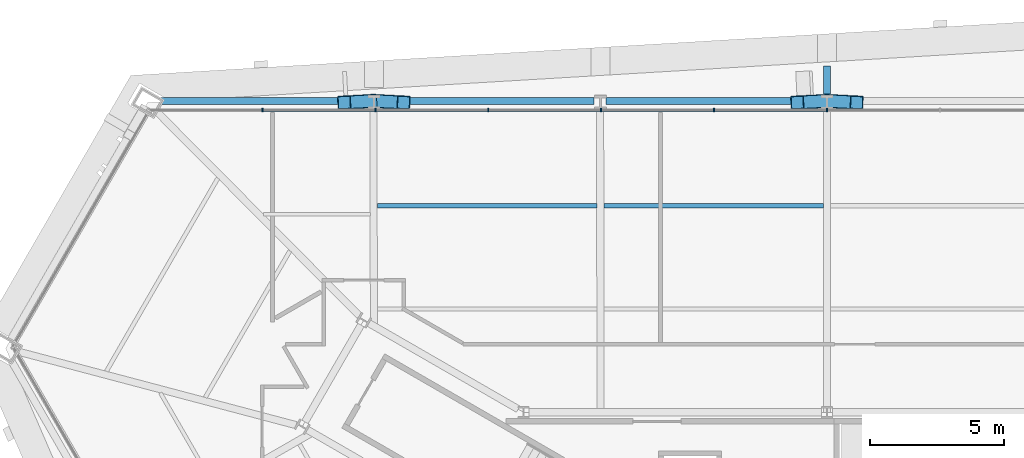
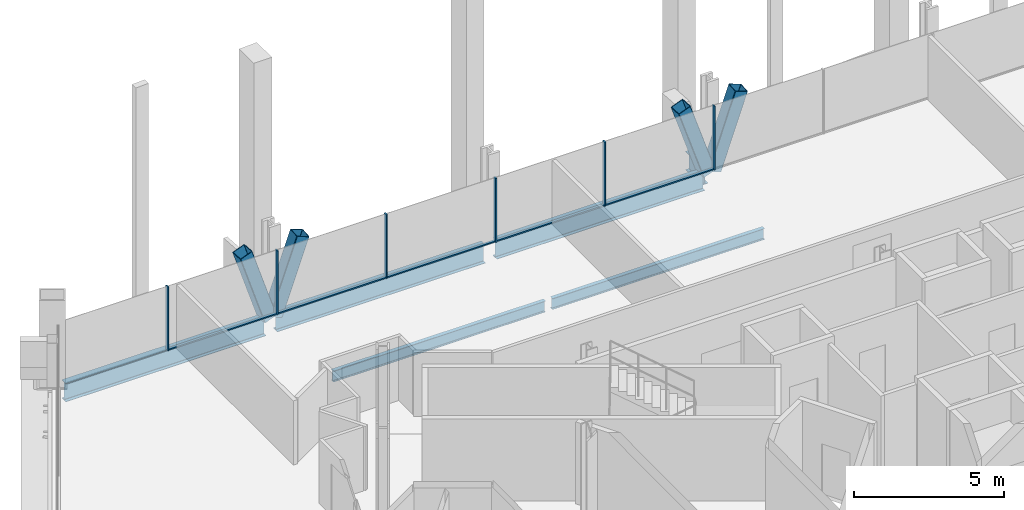
# One storey, part 6 of 16: 15 members, 6 beams, 1 element without a shape of its own.
"""IFC4 building model written with IfcOpenShell, lengths in metres."""

from ifc_helpers import new_model, si_unit, direction, frame, origin, origin_2d, place, context, subcontext, project, spatial, rectangle, hollow_rectangle, i_section, extrude, material, material_profile, profile_set, type_object, element, aggregate, save


model = new_model("IFC4")

# Units and contexts
model_context = context("Model", 3, precision=1e-05, world=origin(), true_north=direction((0.0, 1.0)))
body_context = subcontext(model_context, "Body", "Model", "MODEL_VIEW")
ifc_project = project(units=[si_unit("LENGTHUNIT", "METRE"), si_unit("AREAUNIT", "SQUARE_METRE"), si_unit("VOLUMEUNIT", "CUBIC_METRE"), si_unit("PLANEANGLEUNIT", "RADIAN"), si_unit("MASSUNIT", "GRAM", prefix="KILO")], contexts=[model_context])

# Site, building, storey
site_placement = place(None, origin())
site = spatial("IfcSite", under=ifc_project, at=site_placement, CompositionType="ELEMENT")
building_placement = place(site_placement, origin())
building = spatial("IfcBuilding", under=site, at=building_placement, Name="Verrane Prism Tower", CompositionType="ELEMENT")
storey_placement = place(building_placement, frame((0.0, 0.0, 36.800048828125)))
storey = spatial("IfcBuildingStorey", under=building, at=storey_placement, Name="L06", CompositionType="ELEMENT", Elevation=36.800048828125)

# Members
ifc_material_1 = material(Name="Steel A1085 Grade A", Category="steel")
ifc_material_profile_1 = material_profile(ifc_material_1, hollow_rectangle(XDim=0.508056640625, YDim=0.508056640625, WallThickness=0.025390625, InnerFilletRadius=0.0126953125, OuterFilletRadius=0.0380859375, at=origin_2d()), Name="HSS20x20x1")
ifc_profile_set_1 = profile_set([ifc_material_profile_1], Name="Steel A1085 Grade A")
member_type_1 = type_object("IfcMemberType", Name="Facade brace HSS20x20x1", PredefinedType="BRACE", material=ifc_profile_set_1)
for number, where, z_axis, x_axis, name in (
    (1, (0.114501953125, 20.82080078125, -0.19775390625), (0.31815332309, -0.016243468631, 0.947900106938), (0.050989061377, 0.998699211785, 0.0), "Facade brace N2 L06"),
    (2, (-0.114501953125, 20.82080078125, -0.19775390625), (-0.31815332309, -0.016243468631, 0.947900106938), (0.050989061377, -0.998699211785, 0.0), "Facade brace N3 L06"),
):
    element("IfcMember", number, at=place(storey_placement, frame(where, z_axis=z_axis, x_axis=x_axis)), inside=storey, type_object=member_type_1, Name=name, PredefinedType="BRACE", context=body_context, shape_type="SweptSolid", body=[
        extrude(hollow_rectangle(XDim=0.508056640625, YDim=0.508056640625, WallThickness=0.025390625, InnerFilletRadius=0.0126953125, OuterFilletRadius=0.0380859375, at=origin_2d()), origin(), (0.0, 0.0, 1.0), 3.126220703125),
    ])
member_1_placement = place(storey_placement, frame((-16.827392578125, 20.82080078125, -0.19775390625), z_axis=(0.323891161877, -0.016210144772, 0.945955467485), x_axis=(0.049985560067, 0.998749940568, 0.0)))
element("IfcMember", 3, at=member_1_placement, inside=storey, type_object=member_type_1, Name="Facade brace N4 L06", PredefinedType="BRACE", context=body_context, shape_type="SweptSolid", body=[
    extrude(hollow_rectangle(XDim=0.508056640625, YDim=0.508056640625, WallThickness=0.025390625, InnerFilletRadius=0.0126953125, OuterFilletRadius=0.0380859375, at=origin_2d()), origin(), (0.0, 0.0, 1.0), 3.132568359375),
])
member_2_placement = place(storey_placement, frame((-17.05615234375, 20.82080078125, -0.19775390625), z_axis=(-0.312097803729, -0.016277919553, 0.949910516966), x_axis=(0.052085673264, -0.99864262008, 0.0)))
element("IfcMember", 4, at=member_2_placement, inside=storey, type_object=member_type_1, Name="Facade brace N5 L06", PredefinedType="BRACE", context=body_context, shape_type="SweptSolid", body=[
    extrude(hollow_rectangle(XDim=0.508056640625, YDim=0.508056640625, WallThickness=0.025390625, InnerFilletRadius=0.0126953125, OuterFilletRadius=0.0380859375, at=origin_2d()), origin(), (0.0, 0.0, 1.0), 3.11962890625),
])

# Beams
ifc_material_2 = material(Name="Steel A992", Category="steel")
ifc_material_profile_2 = material_profile(ifc_material_2, i_section(OverallWidth=0.15234375, OverallDepth=0.449462890625, WebThickness=0.007568359375, FlangeThickness=0.0107421875, FilletRadius=0.01025390625, at=origin_2d()), Name="W18x35")
ifc_profile_set_2 = profile_set([ifc_material_profile_2], Name="Steel A992")
beam_type_1 = type_object("IfcBeamType", Name="Floor beam W18x35", PredefinedType="BEAM", material=ifc_profile_set_2)
beam_1_placement = place(storey_placement, frame((-8.326416015625, 16.913330078125, -0.384765625), z_axis=(1.0, 0.0, 0.0), x_axis=(0.0, 1.0, 0.0)))
element("IfcBeam", 5, at=beam_1_placement, inside=storey, type_object=beam_type_1, Name="Floor beam L06", PredefinedType="BEAM", context=body_context, shape_type="SweptSolid", body=[
    extrude(i_section(OverallWidth=0.15234375, OverallDepth=0.449462890625, WebThickness=0.007568359375, FlangeThickness=0.0107421875, FilletRadius=0.01025390625, at=origin_2d()), origin(), (0.0, 0.0, 1.0), 8.19287109375),
])
beam_2_placement = place(storey_placement, frame((-16.78662109375, 16.913330078125, -0.384765625), z_axis=(1.0, 0.0, 0.0), x_axis=(0.0, 1.0, 0.0)))
element("IfcBeam", 6, at=beam_2_placement, inside=storey, type_object=beam_type_1, Name="Floor beam L06", PredefinedType="BEAM", context=body_context, shape_type="SweptSolid", body=[
    extrude(i_section(OverallWidth=0.15234375, OverallDepth=0.449462890625, WebThickness=0.007568359375, FlangeThickness=0.0107421875, FilletRadius=0.01025390625, at=origin_2d()), origin(), (0.0, 0.0, 1.0), 8.193115234375),
])

# Curtain wall, members
ifc_material_3 = material(Name="Aluminium framed insulated glazing", Category="aluminium")
curtain_wall_type = type_object("IfcCurtainWallType", Name="Curtain wall CW-C 4200 module", PredefinedType="NOTDEFINED", material=ifc_material_3)
curtain_wall_placement = place(storey_placement, origin())
curtain_wall = element("IfcCurtainWall", 7, at=curtain_wall_placement, inside=storey, type_object=curtain_wall_type, Name="Glazed curtain wall north face L06", PredefinedType="NOTDEFINED")
ifc_material_4 = material(Name="Aluminium alloy 6063-T6", Category="aluminium")
ifc_material_profile_3 = material_profile(ifc_material_4, rectangle(XDim=0.139892578125, YDim=0.050048828125, at=origin_2d()), Name="Mullion 50x140 aluminium")
ifc_profile_set_3 = profile_set([ifc_material_profile_3], Name="Aluminium alloy 6063-T6")
member_type_2 = type_object("IfcMemberType", Name="Mullion 50x140 aluminium", PredefinedType="MULLION", material=ifc_profile_set_3)
member_3_placement = place(storey_placement, frame((0.0, 20.490966796875, 0.0), z_axis=(0.0, 0.0, 1.0), x_axis=(0.0, -1.0, 0.0)))
member_3 = element("IfcMember", 8, at=member_3_placement, type_object=member_type_2, Name="CW06.2 mullion 7", PredefinedType="MULLION", context=body_context, shape_type="SweptSolid", body=[
    extrude(rectangle(XDim=0.139892578125, YDim=0.050048828125, at=origin_2d()), origin(), (0.0, 0.0, 1.0), 2.61279296875),
])
member_4_placement = place(storey_placement, frame((-4.217041015625, 20.490966796875, 0.0), z_axis=(0.0, 0.0, 1.0), x_axis=(0.0, -1.0, 0.0)))
member_4 = element("IfcMember", 9, at=member_4_placement, type_object=member_type_2, Name="CW06.2 mullion 8", PredefinedType="MULLION", context=body_context, shape_type="SweptSolid", body=[
    extrude(rectangle(XDim=0.139892578125, YDim=0.050048828125, at=origin_2d()), origin(), (0.0, 0.0, 1.0), 2.61279296875),
])
member_5_placement = place(storey_placement, frame((-8.433837890625, 20.490966796875, 0.0), z_axis=(0.0, 0.0, 1.0), x_axis=(0.0, -1.0, 0.0)))
member_5 = element("IfcMember", 10, at=member_5_placement, type_object=member_type_2, Name="CW06.2 mullion 9", PredefinedType="MULLION", context=body_context, shape_type="SweptSolid", body=[
    extrude(rectangle(XDim=0.139892578125, YDim=0.050048828125, at=origin_2d()), origin(), (0.0, 0.0, 1.0), 2.61279296875),
])
member_6_placement = place(storey_placement, frame((-12.65087890625, 20.490966796875, 0.0), z_axis=(0.0, 0.0, 1.0), x_axis=(0.0, -1.0, 0.0)))
member_6 = element("IfcMember", 11, at=member_6_placement, type_object=member_type_2, Name="CW06.2 mullion 10", PredefinedType="MULLION", context=body_context, shape_type="SweptSolid", body=[
    extrude(rectangle(XDim=0.139892578125, YDim=0.050048828125, at=origin_2d()), origin(), (0.0, 0.0, 1.0), 2.61279296875),
])
member_7_placement = place(storey_placement, frame((-16.86767578125, 20.490966796875, 0.0), z_axis=(0.0, 0.0, 1.0), x_axis=(0.0, -1.0, 0.0)))
member_7 = element("IfcMember", 12, at=member_7_placement, type_object=member_type_2, Name="CW06.2 mullion 11", PredefinedType="MULLION", context=body_context, shape_type="SweptSolid", body=[
    extrude(rectangle(XDim=0.139892578125, YDim=0.050048828125, at=origin_2d()), origin(), (0.0, 0.0, 1.0), 2.61279296875),
])
member_8_placement = place(storey_placement, frame((-21.084716796875, 20.490966796875, 0.0), z_axis=(0.0, 0.0, 1.0), x_axis=(0.0, -1.0, 0.0)))
member_8 = element("IfcMember", 13, at=member_8_placement, type_object=member_type_2, Name="CW06.2 mullion 12", PredefinedType="MULLION", context=body_context, shape_type="SweptSolid", body=[
    extrude(rectangle(XDim=0.139892578125, YDim=0.050048828125, at=origin_2d()), origin(), (0.0, 0.0, 1.0), 2.61279296875),
])

# Beams
ifc_material_5 = material(Name="Steel A992", Category="steel")
ifc_material_profile_4 = material_profile(ifc_material_5, i_section(OverallWidth=0.2666015625, OverallDepth=0.76708984375, WebThickness=0.014892578125, FlangeThickness=0.023681640625, FilletRadius=0.0166015625, at=origin_2d()), Name="W30x124")
ifc_profile_set_4 = profile_set([ifc_material_profile_4], Name="Steel A992")
beam_type_2 = type_object("IfcBeamType", Name="Radial girder W30x124", PredefinedType="BEAM", material=ifc_profile_set_4)
beam_3_placement = place(storey_placement, frame((0.0, 21.082275390625, -0.603515625), z_axis=(0.0, 1.0, 0.0), x_axis=(-1.0, 0.0, 0.0)))
element("IfcBeam", 14, at=beam_3_placement, inside=storey, type_object=beam_type_2, Name="Cantilever girder L06", PredefinedType="BEAM", context=body_context, shape_type="SweptSolid", body=[
    extrude(i_section(OverallWidth=0.2666015625, OverallDepth=0.76708984375, WebThickness=0.014892578125, FlangeThickness=0.023681640625, FilletRadius=0.0166015625, at=origin_2d()), origin(), (0.0, 0.0, 1.0), 1.049560546875),
])
ifc_material_6 = material(Name="Steel A992", Category="steel")
ifc_material_profile_5 = material_profile(ifc_material_6, i_section(OverallWidth=0.2666015625, OverallDepth=0.7568359375, WebThickness=0.013916015625, FlangeThickness=0.019287109375, FilletRadius=0.0166015625, at=origin_2d()), Name="W30x108")
ifc_profile_set_5 = profile_set([ifc_material_profile_5], Name="Steel A992")
beam_type_3 = type_object("IfcBeamType", Name="Spandrel beam W30x108", PredefinedType="SPANDREL", material=ifc_profile_set_5)
beam_4_placement = place(storey_placement, frame((-0.220947265625, 20.82080078125, -0.53857421875), z_axis=(-1.0, 0.0, 0.0), x_axis=(0.0, -1.0, 0.0)))
element("IfcBeam", 15, at=beam_4_placement, inside=storey, type_object=beam_type_3, Name="Spandrel beam L06", PredefinedType="SPANDREL", context=body_context, shape_type="SweptSolid", body=[
    extrude(i_section(OverallWidth=0.2666015625, OverallDepth=0.7568359375, WebThickness=0.013916015625, FlangeThickness=0.019287109375, FilletRadius=0.0166015625, at=origin_2d()), origin(), (0.0, 0.0, 1.0), 8.03076171875),
])
beam_5_placement = place(storey_placement, frame((-8.693603515625, 20.82080078125, -0.53857421875), z_axis=(-1.0, 0.0, 0.0), x_axis=(0.0, -1.0, 0.0)))
element("IfcBeam", 16, at=beam_5_placement, inside=storey, type_object=beam_type_3, Name="Spandrel beam L06", PredefinedType="SPANDREL", context=body_context, shape_type="SweptSolid", body=[
    extrude(i_section(OverallWidth=0.2666015625, OverallDepth=0.7568359375, WebThickness=0.013916015625, FlangeThickness=0.019287109375, FilletRadius=0.0166015625, at=origin_2d()), origin(), (0.0, 0.0, 1.0), 8.029541015625),
])
beam_6_placement = place(storey_placement, frame((-17.1650390625, 20.82080078125, -0.53857421875), z_axis=(-1.0, 0.0, 0.0), x_axis=(0.0, -1.0, 0.0)))
element("IfcBeam", 17, at=beam_6_placement, inside=storey, type_object=beam_type_3, Name="Spandrel beam L06", PredefinedType="SPANDREL", context=body_context, shape_type="SweptSolid", body=[
    extrude(i_section(OverallWidth=0.2666015625, OverallDepth=0.7568359375, WebThickness=0.013916015625, FlangeThickness=0.019287109375, FilletRadius=0.0166015625, at=origin_2d()), origin(), (0.0, 0.0, 1.0), 7.723388671875),
])

# Member
ifc_material_7 = material(Name="Aluminium alloy 6063-T6", Category="aluminium")
ifc_material_profile_6 = material_profile(ifc_material_7, rectangle(XDim=0.10009765625, YDim=0.050048828125, at=origin_2d()), Name="Transom 50x100 aluminium")
ifc_profile_set_6 = profile_set([ifc_material_profile_6], Name="Aluminium alloy 6063-T6")
member_type_3 = type_object("IfcMemberType", Name="Transom 50x100 aluminium", PredefinedType="USERDEFINED", material=ifc_profile_set_6)
member_9_placement = place(storey_placement, frame((-0.02490234375, 20.490966796875, 0.02490234375), z_axis=(-1.0, 0.0, 0.0), x_axis=(0.0, -1.0, 0.0)))
member_9 = element("IfcMember", 18, at=member_9_placement, type_object=member_type_3, Name="CW06.2 transom 7", ObjectType="TRANSOM", PredefinedType="USERDEFINED", context=body_context, shape_type="SweptSolid", body=[
    extrude(rectangle(XDim=0.10009765625, YDim=0.050048828125, at=origin_2d()), origin(), (0.0, 0.0, 1.0), 4.1669921875),
])

member_10_placement = place(storey_placement, frame((-4.241943359375, 20.490966796875, 0.02490234375), z_axis=(-1.0, 0.0, 0.0), x_axis=(0.0, -1.0, 0.0)))
member_10 = element("IfcMember", 19, at=member_10_placement, type_object=member_type_3, Name="CW06.2 transom 8", ObjectType="TRANSOM", PredefinedType="USERDEFINED", context=body_context, shape_type="SweptSolid", body=[
    extrude(rectangle(XDim=0.10009765625, YDim=0.050048828125, at=origin_2d()), origin(), (0.0, 0.0, 1.0), 4.1669921875),
])

member_11_placement = place(storey_placement, frame((-8.458984375, 20.490966796875, 0.02490234375), z_axis=(-1.0, 0.0, 0.0), x_axis=(0.0, -1.0, 0.0)))
member_11 = element("IfcMember", 20, at=member_11_placement, type_object=member_type_3, Name="CW06.2 transom 9", ObjectType="TRANSOM", PredefinedType="USERDEFINED", context=body_context, shape_type="SweptSolid", body=[
    extrude(rectangle(XDim=0.10009765625, YDim=0.050048828125, at=origin_2d()), origin(), (0.0, 0.0, 1.0), 4.166748046875),
])

member_12_placement = place(storey_placement, frame((-12.67578125, 20.490966796875, 0.02490234375), z_axis=(-1.0, 0.0, 0.0), x_axis=(0.0, -1.0, 0.0)))
member_12 = element("IfcMember", 21, at=member_12_placement, type_object=member_type_3, Name="CW06.2 transom 10", ObjectType="TRANSOM", PredefinedType="USERDEFINED", context=body_context, shape_type="SweptSolid", body=[
    extrude(rectangle(XDim=0.10009765625, YDim=0.050048828125, at=origin_2d()), origin(), (0.0, 0.0, 1.0), 4.1669921875),
])

member_13_placement = place(storey_placement, frame((-16.892822265625, 20.490966796875, 0.02490234375), z_axis=(-1.0, 0.0, 0.0), x_axis=(0.0, -1.0, 0.0)))
member_13 = element("IfcMember", 22, at=member_13_placement, type_object=member_type_3, Name="CW06.2 transom 11", ObjectType="TRANSOM", PredefinedType="USERDEFINED", context=body_context, shape_type="SweptSolid", body=[
    extrude(rectangle(XDim=0.10009765625, YDim=0.050048828125, at=origin_2d()), origin(), (0.0, 0.0, 1.0), 4.166748046875),
])

aggregate(curtain_wall, [member_3, member_4, member_5, member_6, member_7, member_8, member_9, member_10, member_11, member_12, member_13])

save(model, "model.ifc")
